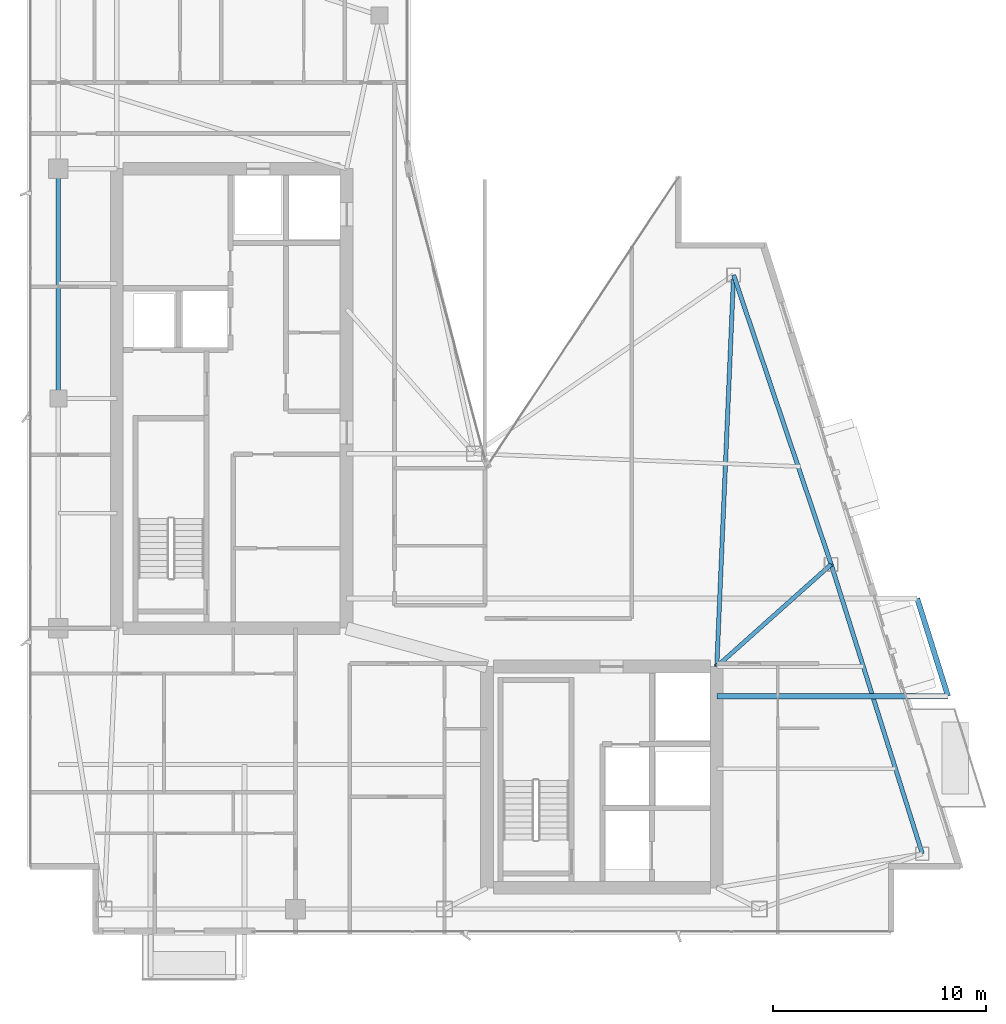
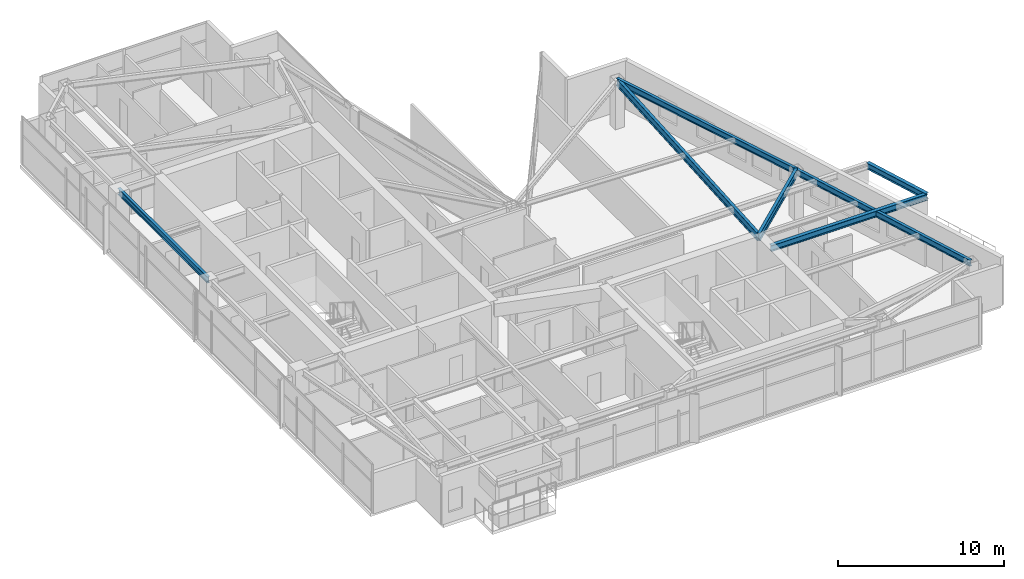
# One storey, part 15 of 28: 7 beams.
"""IFC4 building model written with IfcOpenShell, lengths in metres."""

from ifc_helpers import new_model, si_unit, direction, frame, origin, origin_2d, place, context, subcontext, project, spatial, i_section, extrude, material, material_profile, profile_set, type_object, element, save


model = new_model("IFC4")

# Units and contexts
model_context = context("Model", 3, precision=1e-05, world=origin(), true_north=direction((0.0, 1.0)))
body_context = subcontext(model_context, "Body", "Model", "MODEL_VIEW")
ifc_project = project(units=[si_unit("LENGTHUNIT", "METRE"), si_unit("AREAUNIT", "SQUARE_METRE"), si_unit("VOLUMEUNIT", "CUBIC_METRE"), si_unit("PLANEANGLEUNIT", "RADIAN"), si_unit("MASSUNIT", "GRAM", prefix="KILO")], contexts=[model_context])

# Site, building, storey
site_placement = place(None, origin())
site = spatial("IfcSite", under=ifc_project, at=site_placement, CompositionType="ELEMENT")
building_placement = place(site_placement, origin())
building = spatial("IfcBuilding", under=site, at=building_placement, Name="Calvorn Quay Hotel", CompositionType="ELEMENT")
storey_placement = place(building_placement, frame((0.0, 0.0, 267.300048828125)))
storey = spatial("IfcBuildingStorey", under=building, at=storey_placement, Name="L66", CompositionType="ELEMENT", Elevation=267.300048828125)

# Beams
ifc_material_1 = material(Name="Steel Q355B", Category="steel")
ifc_material_profile_1 = material_profile(ifc_material_1, i_section(OverallWidth=0.25, OverallDepth=0.449951171875, WebThickness=0.011962890625, FlangeThickness=0.01611328125, FilletRadius=0.01611328125, at=origin_2d()), Name="HN450x250x12x16")
ifc_profile_set_1 = profile_set([ifc_material_profile_1], Name="Steel Q355B")
beam_type_1 = type_object("IfcBeamType", Name="BM-CANT-BALC", PredefinedType="BEAM", material=ifc_profile_set_1)
beam_1_placement = place(storey_placement, frame((32.39990234375, 13.60009765625, 3.31494140625), z_axis=(1.0, 0.0, 0.0), x_axis=(0.0, 1.0, 0.0)))
element("IfcBeam", 1, at=beam_1_placement, inside=storey, type_object=beam_type_1, Name="Cantilever Balcony Beam BCB-L67-1A", PredefinedType="BEAM", context=body_context, shape_type="SweptSolid", body=[
    extrude(i_section(OverallWidth=0.25, OverallDepth=0.449951171875, WebThickness=0.011962890625, FlangeThickness=0.01611328125, FilletRadius=0.01611328125, at=origin_2d()), origin(), (0.0, 0.0, 1.0), 10.869140625),
])
beam_2_placement = place(storey_placement, frame((43.26904296875, 13.60009765625, 3.31494140625), z_axis=(-0.300450487966, 0.953797412599, 0.0), x_axis=(-0.953797412599, -0.300450487966, 0.0)))
element("IfcBeam", 2, at=beam_2_placement, inside=storey, type_object=beam_type_1, Name="Beam BCBO-L67-1", PredefinedType="BEAM", context=body_context, shape_type="SweptSolid", body=[
    extrude(i_section(OverallWidth=0.25, OverallDepth=0.449951171875, WebThickness=0.011962890625, FlangeThickness=0.01611328125, FilletRadius=0.01611328125, at=origin_2d()), origin(), (0.0, 0.0, 1.0), 4.82275390625),
])
ifc_material_2 = material(Name="Steel Q355B", Category="steel")
ifc_material_profile_2 = material_profile(ifc_material_2, i_section(OverallWidth=0.199951171875, OverallDepth=0.550048828125, WebThickness=0.010009765625, FlangeThickness=0.01611328125, FilletRadius=0.01806640625, at=origin_2d()), Name="HN550x200x10x16")
ifc_profile_set_2 = profile_set([ifc_material_profile_2], Name="Steel Q355B")
beam_type_2 = type_object("IfcBeamType", Name="BM-GIRD-UPP", PredefinedType="BEAM", material=ifc_profile_set_2)
beam_3_placement = place(storey_placement, frame((32.39990234375, 15.0, 3.264892578125), z_axis=(0.745932853197, 0.66602115471, 0.0), x_axis=(-0.66602115471, 0.745932853197, 0.0)))
element("IfcBeam", 3, at=beam_3_placement, inside=storey, type_object=beam_type_2, Name="Beam BG-L66-E2", PredefinedType="BEAM", context=body_context, shape_type="SweptSolid", body=[
    extrude(i_section(OverallWidth=0.199951171875, OverallDepth=0.550048828125, WebThickness=0.010009765625, FlangeThickness=0.01611328125, FilletRadius=0.01806640625, at=origin_2d()), origin(), (0.0, 0.0, 1.0), 7.20703125),
])
beam_4_placement = place(storey_placement, frame((32.39990234375, 15.0, 3.264892578125), z_axis=(0.042950536419, 0.999077199931, 0.0), x_axis=(-0.999077199931, 0.042950536419, 0.0)))
element("IfcBeam", 4, at=beam_4_placement, inside=storey, type_object=beam_type_2, Name="Beam BG-L66-E3", PredefinedType="BEAM", context=body_context, shape_type="SweptSolid", body=[
    extrude(i_section(OverallWidth=0.199951171875, OverallDepth=0.550048828125, WebThickness=0.010009765625, FlangeThickness=0.01611328125, FilletRadius=0.01806640625, at=origin_2d()), origin(), (0.0, 0.0, 1.0), 18.4169921875),
])
ifc_material_3 = material(Name="Steel Q355B", Category="steel")
ifc_material_profile_3 = material_profile(ifc_material_3, i_section(OverallWidth=0.199951171875, OverallDepth=0.449951171875, WebThickness=0.009033203125, FlangeThickness=0.013916015625, FilletRadius=0.01611328125, at=origin_2d()), Name="HN450x200x9x14")
ifc_profile_set_3 = profile_set([ifc_material_profile_3], Name="Steel Q355B")
beam_type_3 = type_object("IfcBeamType", Name="BM-SPANDREL-Z3", PredefinedType="SPANDREL", material=ifc_profile_set_3)
beam_5_placement = place(storey_placement, frame((1.449951171875, 27.60009765625, 3.31494140625), z_axis=(0.0, 1.0, 0.0), x_axis=(-1.0, 0.0, 0.0)))
element("IfcBeam", 5, at=beam_5_placement, inside=storey, type_object=beam_type_3, Name="Beam BSP-L66-W3", PredefinedType="SPANDREL", context=body_context, shape_type="SweptSolid", body=[
    extrude(i_section(OverallWidth=0.199951171875, OverallDepth=0.449951171875, WebThickness=0.009033203125, FlangeThickness=0.013916015625, FilletRadius=0.01611328125, at=origin_2d()), origin(), (0.0, 0.0, 1.0), 10.7998046875),
])
beam_6_placement = place(storey_placement, frame((42.06103515625, 6.199951171875, 3.31494140625), z_axis=(-0.300518378216, 0.953776024208, 0.0), x_axis=(-0.953776024208, -0.300518378216, 0.0)))
element("IfcBeam", 6, at=beam_6_placement, inside=storey, type_object=beam_type_3, Name="Beam BSP-L66-E1", PredefinedType="SPANDREL", context=body_context, shape_type="SweptSolid", body=[
    extrude(i_section(OverallWidth=0.199951171875, OverallDepth=0.449951171875, WebThickness=0.009033203125, FlangeThickness=0.013916015625, FilletRadius=0.01611328125, at=origin_2d()), origin(), (0.0, 0.0, 1.0), 14.25927734375),
])
beam_7_placement = place(storey_placement, frame((37.77587890625, 19.800048828125, 3.31494140625), z_axis=(-0.319466515944, 0.947597564998, 0.0), x_axis=(-0.947597564998, -0.319466515944, 0.0)))
element("IfcBeam", 7, at=beam_7_placement, inside=storey, type_object=beam_type_3, Name="Beam BSP-L66-E2", PredefinedType="SPANDREL", context=body_context, shape_type="SweptSolid", body=[
    extrude(i_section(OverallWidth=0.199951171875, OverallDepth=0.449951171875, WebThickness=0.009033203125, FlangeThickness=0.013916015625, FilletRadius=0.01611328125, at=origin_2d()), origin(), (0.0, 0.0, 1.0), 14.35205078125),
])

save(model, "model.ifc")
